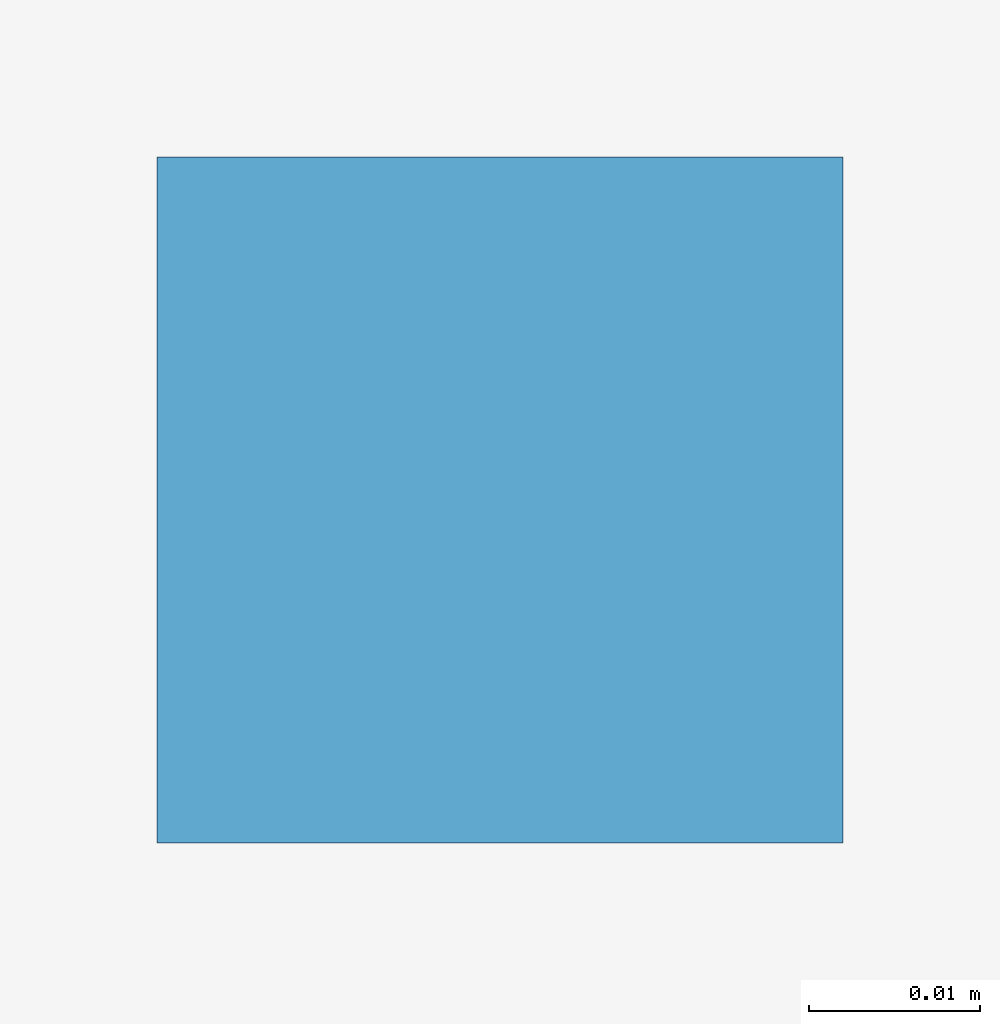
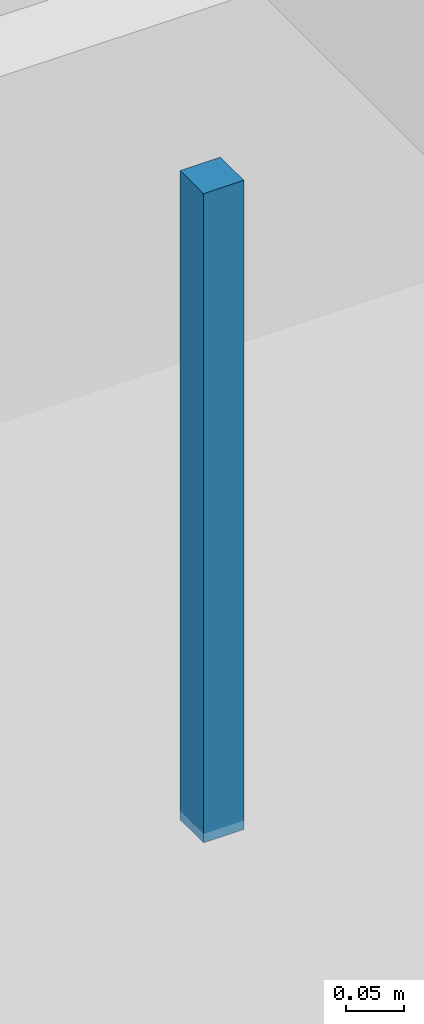
# One storey, part 69 of 88: 1 discrete accessory.
"""IFC4 building model written with IfcOpenShell, lengths in metres."""

from ifc_helpers import new_model, si_unit, direction, frame, origin, origin_2d, place, context, subcontext, project, spatial, rectangle, extrude, material, type_object, element, save


model = new_model("IFC4")

# Units and contexts
model_context = context("Model", 3, precision=1e-05, world=origin(), true_north=direction((0.0, 1.0)))
body_context = subcontext(model_context, "Body", "Model", "MODEL_VIEW")
ifc_project = project(units=[si_unit("LENGTHUNIT", "METRE"), si_unit("AREAUNIT", "SQUARE_METRE"), si_unit("VOLUMEUNIT", "CUBIC_METRE"), si_unit("PLANEANGLEUNIT", "RADIAN"), si_unit("MASSUNIT", "GRAM", prefix="KILO")], contexts=[model_context])

# Site, building, storey
site_placement = place(None, origin())
site = spatial("IfcSite", under=ifc_project, at=site_placement, CompositionType="ELEMENT")
building_placement = place(site_placement, origin())
building = spatial("IfcBuilding", under=site, at=building_placement, Name="Alvorim Cloister Faculty of Sciences", CompositionType="ELEMENT")
storey_placement = place(building_placement, frame((0.0, 0.0, 4.5)))
storey = spatial("IfcBuildingStorey", under=building, at=storey_placement, Name="L01", CompositionType="ELEMENT", Elevation=4.5)

# Discrete accessory
ifc_material = material(Name="Galvanised Painted Steel", Category="steel")
discrete_accessory_type = type_object("IfcDiscreteAccessoryType", Name="ACC-CEIL-ROD", PredefinedType="BRACKET", material=ifc_material)
discrete_accessory_placement = place(storey_placement, frame((163.949951171875, 5.75, 3.1298828125), z_axis=(0.0, 0.0, 1.0), x_axis=(1.0, 0.0, 0.0)))
element("IfcDiscreteAccessory", 1, at=discrete_accessory_placement, inside=storey, type_object=discrete_accessory_type, Name="Ceiling Suspension Bracket ACC-ROD-014", PredefinedType="BRACKET", context=body_context, shape_type="SweptSolid", body=[
    extrude(rectangle(XDim=0.0400390625, YDim=0.0400390625, at=origin_2d()), origin(), (0.0, 0.0, 1.0), 0.68017578125),
])

save(model, "model.ifc")
